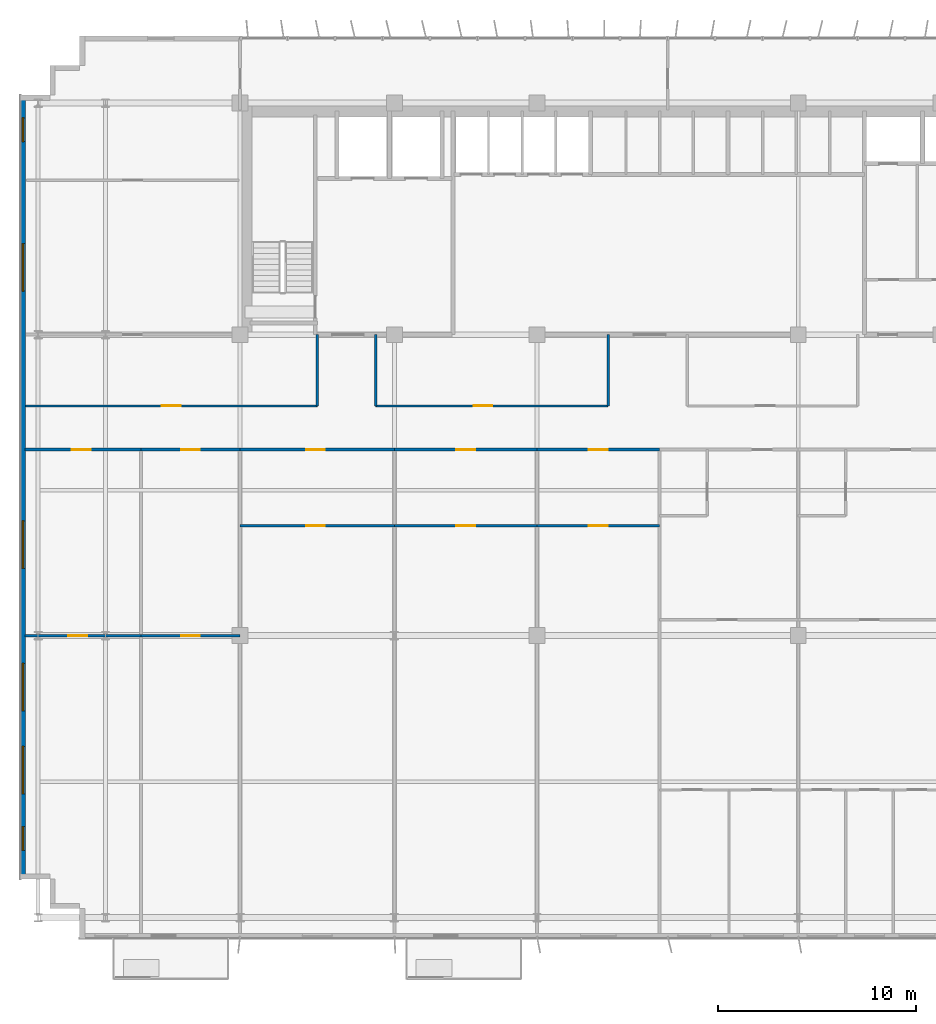
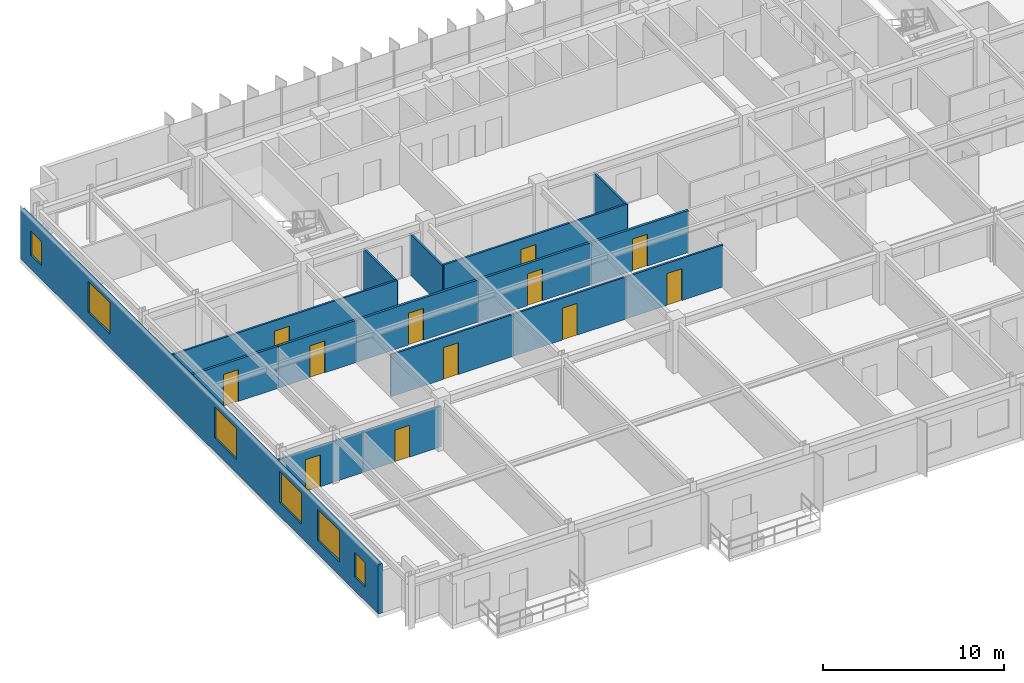
# One storey, part 14 of 22: 16 walls, 12 doors, 6 windows, 18 openings.
"""IFC4 building model written with IfcOpenShell, lengths in metres."""

from ifc_helpers import new_model, si_unit, direction, frame, frame_2d, origin, place, context, subcontext, project, spatial, rectangle, extrude, source, transform, mapped, material, layer, layer_set, type_object, element, fill, save


model = new_model("IFC4")

# Units and contexts
model_context = context("Model", 3, precision=1e-05, world=origin(), true_north=direction((0.0, 1.0)))
body_context = subcontext(model_context, "Body", "Model", "MODEL_VIEW")
ifc_project = project(units=[si_unit("LENGTHUNIT", "METRE"), si_unit("AREAUNIT", "SQUARE_METRE"), si_unit("VOLUMEUNIT", "CUBIC_METRE"), si_unit("PLANEANGLEUNIT", "RADIAN"), si_unit("MASSUNIT", "GRAM", prefix="KILO")], contexts=[model_context])

# Site, building, storey
site_placement = place(None, origin())
site = spatial("IfcSite", under=ifc_project, at=site_placement, CompositionType="ELEMENT")
building_placement = place(site_placement, origin())
building = spatial("IfcBuilding", under=site, at=building_placement, Name="Trelvane Seafront Commons", CompositionType="ELEMENT")
storey_placement = place(building_placement, frame((0.0, 0.0, 85.300048828125)))
storey = spatial("IfcBuildingStorey", under=building, at=storey_placement, Name="L21", CompositionType="ELEMENT", Elevation=85.300048828125)

# Wall, openings, windows
ifc_material_1 = material(Name="Precast concrete C40/50", Category="concrete")
ifc_layer_1 = layer(ifc_material_1, 0.260009765625, Name="ARCH-WALL-EXT260")
ifc_layer_set_1 = layer_set([ifc_layer_1], Name="Precast concrete C40/50")
wall_type_1 = type_object("IfcWallType", Name="ARCH-WALL-EXT260", PredefinedType="SOLIDWALL", material=ifc_layer_set_1)
wall_1_placement = place(storey_placement, frame((4.6298828125, 5.89990234375, 0.0), z_axis=(0.0, 0.0, 1.0), x_axis=(0.0, 1.0, 0.0)))
wall_1 = element("IfcWall", 1, at=wall_1_placement, inside=storey, type_object=wall_type_1, Name="EW-L21-00375", PredefinedType="SOLIDWALL", context=body_context, shape_type="SweptSolid", body=[
    extrude(rectangle(XDim=39.60009765625, YDim=0.260009765625, at=frame_2d((19.800048828125, 0.0))), origin(), (0.0, 0.0, 1.0), 3.33984375),
])
opening_1_placement = place(wall_1_placement, frame((1.449951171875, 0.0, 0.919921875)))
opening_1 = element("IfcOpeningElement", 2, at=opening_1_placement, cuts=wall_1, Name="Opening W05", PredefinedType="OPENING", context=body_context, shape_type="SweptSolid", body=[
    extrude(rectangle(XDim=1.199951171875, YDim=1.64990234375, at=frame_2d((0.60009765625, 0.824951171875))), frame((0.0, 0.139892578125, 0.0), z_axis=(0.0, -1.0, 0.0), x_axis=(1.0, 0.0, 0.0)), (0.0, 0.0, 1.0), 0.280029296875),
])
opening_2_placement = place(wall_1_placement, frame((4.300048828125, 0.0, 0.919921875)))
opening_2 = element("IfcOpeningElement", 3, at=opening_2_placement, cuts=wall_1, Name="Opening W08", PredefinedType="OPENING", context=body_context, shape_type="SweptSolid", body=[
    extrude(rectangle(XDim=2.39990234375, YDim=2.10009765625, at=frame_2d((1.199951171875, 1.050048828125))), frame((0.0, 0.139892578125, 0.0), z_axis=(0.0, -1.0, 0.0), x_axis=(1.0, 0.0, 0.0)), (0.0, 0.0, 1.0), 0.280029296875),
])
opening_3_placement = place(wall_1_placement, frame((8.5, 0.0, 0.919921875)))
opening_3 = element("IfcOpeningElement", 4, at=opening_3_placement, cuts=wall_1, Name="Opening W08", PredefinedType="OPENING", context=body_context, shape_type="SweptSolid", body=[
    extrude(rectangle(XDim=2.39990234375, YDim=2.10009765625, at=frame_2d((1.199951171875, 1.050048828125))), frame((0.0, 0.139892578125, 0.0), z_axis=(0.0, -1.0, 0.0), x_axis=(1.0, 0.0, 0.0)), (0.0, 0.0, 1.0), 0.280029296875),
])
opening_4_placement = place(wall_1_placement, frame((15.699951171875, 0.0, 0.919921875)))
opening_4 = element("IfcOpeningElement", 5, at=opening_4_placement, cuts=wall_1, Name="Opening W08", PredefinedType="OPENING", context=body_context, shape_type="SweptSolid", body=[
    extrude(rectangle(XDim=2.39990234375, YDim=2.10009765625, at=frame_2d((1.199951171875, 1.050048828125))), frame((0.0, 0.139892578125, 0.0), z_axis=(0.0, -1.0, 0.0), x_axis=(1.0, 0.0, 0.0)), (0.0, 0.0, 1.0), 0.280029296875),
])
opening_5_placement = place(wall_1_placement, frame((29.699951171875, 0.0, 0.919921875)))
opening_5 = element("IfcOpeningElement", 6, at=opening_5_placement, cuts=wall_1, Name="Opening W08", PredefinedType="OPENING", context=body_context, shape_type="SweptSolid", body=[
    extrude(rectangle(XDim=2.39990234375, YDim=2.10009765625, at=frame_2d((1.199951171875, 1.050048828125))), frame((0.0, 0.139892578125, 0.0), z_axis=(0.0, -1.0, 0.0), x_axis=(1.0, 0.0, 0.0)), (0.0, 0.0, 1.0), 0.280029296875),
])
opening_6_placement = place(wall_1_placement, frame((37.25, 0.0, 0.919921875)))
opening_6 = element("IfcOpeningElement", 7, at=opening_6_placement, cuts=wall_1, Name="Opening W05", PredefinedType="OPENING", context=body_context, shape_type="SweptSolid", body=[
    extrude(rectangle(XDim=1.199951171875, YDim=1.64990234375, at=frame_2d((0.60009765625, 0.824951171875))), frame((0.0, 0.139892578125, 0.0), z_axis=(0.0, -1.0, 0.0), x_axis=(1.0, 0.0, 0.0)), (0.0, 0.0, 1.0), 0.280029296875),
])
ifc_material_2 = material(Name="Low-E coastal double glazing", Category="glass")
window_type_1 = type_object("IfcWindowType", Name="ARCH-WIN-W08", PartitioningType="SINGLE_PANEL", PredefinedType="WINDOW", material=ifc_material_2)
shared_shape_1 = source(origin(), body_context, "Body", "SweptSolid", [
    extrude(rectangle(XDim=2.39990234375, YDim=2.10009765625, at=frame_2d((1.199951171875, 1.050048828125))), frame((0.0, 0.030029296875, 0.0), z_axis=(0.0, -1.0, 0.0), x_axis=(1.0, 0.0, 0.0)), (0.0, 0.0, 1.0), 0.06005859375),
])
window_1_placement = place(opening_2_placement, origin())
window_1 = element("IfcWindow", 8, at=window_1_placement, inside=storey, type_object=window_type_1, Name="WIN-L21-EW-00426", OverallHeight=2.10009765625, OverallWidth=2.39990234375, PartitioningType="SINGLE_PANEL", PredefinedType="WINDOW", context=body_context, shape_type="MappedRepresentation", body=[
    mapped(shared_shape_1, transform((0.0, 0.0, 0.0), x_axis=(1.0, 0.0, 0.0), y_axis=(0.0, 1.0, 0.0), z_axis=(0.0, 0.0, 1.0), scale=1.0)),
])
fill(opening_2, window_1)
window_2_placement = place(opening_3_placement, origin())
window_2 = element("IfcWindow", 9, at=window_2_placement, inside=storey, type_object=window_type_1, Name="WIN-L21-EW-00427", OverallHeight=2.10009765625, OverallWidth=2.39990234375, PartitioningType="SINGLE_PANEL", PredefinedType="WINDOW", context=body_context, shape_type="MappedRepresentation", body=[
    mapped(shared_shape_1, transform((0.0, 0.0, 0.0), x_axis=(1.0, 0.0, 0.0), y_axis=(0.0, 1.0, 0.0), z_axis=(0.0, 0.0, 1.0), scale=1.0)),
])
fill(opening_3, window_2)
window_3_placement = place(opening_4_placement, origin())
window_3 = element("IfcWindow", 10, at=window_3_placement, inside=storey, type_object=window_type_1, Name="WIN-L21-EW-00428", OverallHeight=2.10009765625, OverallWidth=2.39990234375, PartitioningType="SINGLE_PANEL", PredefinedType="WINDOW", context=body_context, shape_type="MappedRepresentation", body=[
    mapped(shared_shape_1, transform((0.0, 0.0, 0.0), x_axis=(1.0, 0.0, 0.0), y_axis=(0.0, 1.0, 0.0), z_axis=(0.0, 0.0, 1.0), scale=1.0)),
])
fill(opening_4, window_3)
window_4_placement = place(opening_5_placement, origin())
window_4 = element("IfcWindow", 11, at=window_4_placement, inside=storey, type_object=window_type_1, Name="WIN-L21-EW-00429", OverallHeight=2.10009765625, OverallWidth=2.39990234375, PartitioningType="SINGLE_PANEL", PredefinedType="WINDOW", context=body_context, shape_type="MappedRepresentation", body=[
    mapped(shared_shape_1, transform((0.0, 0.0, 0.0), x_axis=(1.0, 0.0, 0.0), y_axis=(0.0, 1.0, 0.0), z_axis=(0.0, 0.0, 1.0), scale=1.0)),
])
fill(opening_5, window_4)
window_type_2 = type_object("IfcWindowType", Name="ARCH-WIN-W05", PartitioningType="SINGLE_PANEL", PredefinedType="WINDOW", material=ifc_material_2)
shared_shape_2 = source(origin(), body_context, "Body", "SweptSolid", [
    extrude(rectangle(XDim=1.199951171875, YDim=1.64990234375, at=frame_2d((0.60009765625, 0.824951171875))), frame((0.0, 0.030029296875, 0.0), z_axis=(0.0, -1.0, 0.0), x_axis=(1.0, 0.0, 0.0)), (0.0, 0.0, 1.0), 0.06005859375),
])
window_5_placement = place(opening_1_placement, origin())
window_5 = element("IfcWindow", 12, at=window_5_placement, inside=storey, type_object=window_type_2, Name="WIN-L21-EW-00425", OverallHeight=1.64990234375, OverallWidth=1.199951171875, PartitioningType="SINGLE_PANEL", PredefinedType="WINDOW", context=body_context, shape_type="MappedRepresentation", body=[
    mapped(shared_shape_2, transform((0.0, 0.0, 0.0), x_axis=(1.0, 0.0, 0.0), y_axis=(0.0, 1.0, 0.0), z_axis=(0.0, 0.0, 1.0), scale=1.0)),
])
fill(opening_1, window_5)
window_6_placement = place(opening_6_placement, origin())
window_6 = element("IfcWindow", 13, at=window_6_placement, inside=storey, type_object=window_type_2, Name="WIN-L21-EW-00430", OverallHeight=1.64990234375, OverallWidth=1.199951171875, PartitioningType="SINGLE_PANEL", PredefinedType="WINDOW", context=body_context, shape_type="MappedRepresentation", body=[
    mapped(shared_shape_2, transform((0.0, 0.0, 0.0), x_axis=(1.0, 0.0, 0.0), y_axis=(0.0, 1.0, 0.0), z_axis=(0.0, 0.0, 1.0), scale=1.0)),
])
fill(opening_6, window_6)

# Wall, opening, door
ifc_material_3 = material(Name="Gypsum Drywall Acoustic Partition")
ifc_layer_2 = layer(ifc_material_3, 0.1201171875, Name="ARCH-WALL-PART120")
ifc_layer_set_2 = layer_set([ifc_layer_2], Name="Gypsum Drywall Acoustic Partition")
wall_type_2 = type_object("IfcWallType", Name="ARCH-WALL-PART120", PredefinedType="PARTITIONING", material=ifc_layer_set_2)
wall_2_placement = place(storey_placement, frame((4.75, 29.800048828125, 0.0), z_axis=(0.0, 0.0, 1.0), x_axis=(1.0, 0.0, 0.0)))
wall_2 = element("IfcWall", 14, at=wall_2_placement, inside=storey, type_object=wall_type_2, Name="W-L21-CORR-N-W-038", PredefinedType="PARTITIONING", context=body_context, shape_type="SweptSolid", body=[
    extrude(rectangle(XDim=14.75, YDim=0.1201171875, at=frame_2d((7.375, 0.0))), origin(), (0.0, 0.0, 1.0), 2.83984375),
])
opening_7_placement = place(wall_2_placement, frame((6.89990234375, 0.0, 0.0)))
opening_7 = element("IfcOpeningElement", 15, at=opening_7_placement, cuts=wall_2, Name="Opening D-L21-18", PredefinedType="OPENING", context=body_context, shape_type="SweptSolid", body=[
    extrude(rectangle(XDim=0.949951171875, YDim=2.14990234375, at=frame_2d((0.47509765625, 1.074951171875))), frame((0.0, 0.070068359375, 0.0), z_axis=(0.0, -1.0, 0.0), x_axis=(1.0, 0.0, 0.0)), (0.0, 0.0, 1.0), 0.14013671875),
])
ifc_material_4 = material(Name="Acoustic timber door leaf", Category="wood")
door_type_1 = type_object("IfcDoorType", Name="ARCH-DR-INT950", OperationType="NOTDEFINED", PredefinedType="DOOR", material=ifc_material_4)
shared_shape_3 = source(origin(), body_context, "Body", "SweptSolid", [
    extrude(rectangle(XDim=0.949951171875, YDim=2.14990234375, at=frame_2d((0.47509765625, 1.074951171875))), frame((0.0, 0.02490234375, 0.0), z_axis=(0.0, -1.0, 0.0), x_axis=(1.0, 0.0, 0.0)), (0.0, 0.0, 1.0), 0.050048828125),
])
door_1_placement = place(opening_7_placement, origin())
door_1 = element("IfcDoor", 16, at=door_1_placement, inside=storey, type_object=door_type_1, Name="L21 Door 18", OperationType="SINGLE_SWING_RIGHT", OverallHeight=2.14990234375, OverallWidth=0.949951171875, PredefinedType="DOOR", context=body_context, shape_type="MappedRepresentation", body=[
    mapped(shared_shape_3, transform((0.0, 0.0, 0.0), x_axis=(1.0, 0.0, 0.0), y_axis=(0.0, 1.0, 0.0), z_axis=(0.0, 0.0, 1.0), scale=1.0)),
])
fill(opening_7, door_1)

wall_3_placement = place(storey_placement, frame((22.449951171875, 29.800048828125, 0.0), z_axis=(0.0, 0.0, 1.0), x_axis=(1.0, 0.0, 0.0)))
wall_3 = element("IfcWall", 17, at=wall_3_placement, inside=storey, type_object=wall_type_2, Name="W-L21-CORR-N-M1-039", PredefinedType="PARTITIONING", context=body_context, shape_type="SweptSolid", body=[
    extrude(rectangle(XDim=11.75, YDim=0.1201171875, at=frame_2d((5.875, 0.0))), origin(), (0.0, 0.0, 1.0), 2.83984375),
])
opening_8_placement = place(wall_3_placement, frame((4.944091796875, 0.0, 0.0)))
opening_8 = element("IfcOpeningElement", 18, at=opening_8_placement, cuts=wall_3, Name="Opening D-L21-19", PredefinedType="OPENING", context=body_context, shape_type="SweptSolid", body=[
    extrude(rectangle(XDim=0.949951171875, YDim=2.14990234375, at=frame_2d((0.47509765625, 1.074951171875))), frame((0.0, 0.070068359375, 0.0), z_axis=(0.0, -1.0, 0.0), x_axis=(1.0, 0.0, 0.0)), (0.0, 0.0, 1.0), 0.14013671875),
])
door_2_placement = place(opening_8_placement, origin())
door_2 = element("IfcDoor", 19, at=door_2_placement, inside=storey, type_object=door_type_1, Name="L21 Door 19", OperationType="SINGLE_SWING_LEFT", OverallHeight=2.14990234375, OverallWidth=0.949951171875, PredefinedType="DOOR", context=body_context, shape_type="MappedRepresentation", body=[
    mapped(shared_shape_3, transform((0.0, 0.0, 0.0), x_axis=(1.0, 0.0, 0.0), y_axis=(0.0, 1.0, 0.0), z_axis=(0.0, 0.0, 1.0), scale=1.0)),
])
fill(opening_8, door_2)

# Walls
for number, where, z_axis, x_axis, name in (
    (20, (19.5, 29.800048828125, 0.0), (0.0, 0.0, 1.0), (0.0, 1.0, 0.0), "W-L21-N-SPUR-W1-043"),
    (21, (22.449951171875, 29.800048828125, 0.0), (0.0, 0.0, 1.0), (0.0, 1.0, 0.0), "W-L21-N-SPUR-W2-044"),
    (22, (34.199951171875, 29.800048828125, 0.0), (0.0, 0.0, 1.0), (0.0, 1.0, 0.0), "W-L21-N-SPUR-M1-045"),
):
    element("IfcWall", number, at=place(storey_placement, frame(where, z_axis=z_axis, x_axis=x_axis)), inside=storey, type_object=wall_type_2, Name=name, PredefinedType="PARTITIONING", context=body_context, shape_type="SweptSolid", body=[
        extrude(rectangle(XDim=3.599853515625, YDim=0.1201171875, at=frame_2d((1.7998046875, 0.0))), origin(), (0.0, 0.0, 1.0), 2.751953125),
    ])

# Wall, opening, door
wall_4_placement = place(storey_placement, frame((4.7451171875, 18.199951171875, 0.0), z_axis=(0.0, 0.0, 1.0), x_axis=(1.0, 0.0, 0.0)))
wall_4 = element("IfcWall", 23, at=wall_4_placement, inside=storey, type_object=wall_type_2, Name="W-L21-U1-DIV-070", PredefinedType="PARTITIONING", context=body_context, shape_type="SweptSolid", body=[
    extrude(rectangle(XDim=5.85498046875, YDim=0.1201171875, at=frame_2d((2.927490234375, 0.0))), origin(), (0.0, 0.0, 1.0), 2.751953125),
])
opening_9_placement = place(wall_4_placement, frame((2.181884765625, 0.0, 0.0)))
opening_9 = element("IfcOpeningElement", 24, at=opening_9_placement, cuts=wall_4, Name="Opening D-L21-33", PredefinedType="OPENING", context=body_context, shape_type="SweptSolid", body=[
    extrude(rectangle(XDim=0.949951171875, YDim=2.14990234375, at=frame_2d((0.47509765625, 1.074951171875))), frame((0.0, 0.070068359375, 0.0), z_axis=(0.0, -1.0, 0.0), x_axis=(1.0, 0.0, 0.0)), (0.0, 0.0, 1.0), 0.14013671875),
])
door_3_placement = place(opening_9_placement, origin())
door_3 = element("IfcDoor", 25, at=door_3_placement, inside=storey, type_object=door_type_1, Name="L21 Door 33", OperationType="SINGLE_SWING_LEFT", OverallHeight=2.14990234375, OverallWidth=0.949951171875, PredefinedType="DOOR", context=body_context, shape_type="MappedRepresentation", body=[
    mapped(shared_shape_3, transform((0.0, 0.0, 0.0), x_axis=(1.0, 0.0, 0.0), y_axis=(0.0, 1.0, 0.0), z_axis=(0.0, 0.0, 1.0), scale=1.0)),
])
fill(opening_9, door_3)

wall_5_placement = place(storey_placement, frame((10.60009765625, 18.199951171875, 0.0), z_axis=(0.0, 0.0, 1.0), x_axis=(1.0, 0.0, 0.0)))
wall_5 = element("IfcWall", 26, at=wall_5_placement, inside=storey, type_object=wall_type_2, Name="W-L21-U2-DIV-072", PredefinedType="PARTITIONING", context=body_context, shape_type="SweptSolid", body=[
    extrude(rectangle(XDim=5.0, YDim=0.1201171875, at=frame_2d((2.5, 0.0))), origin(), (0.0, 0.0, 1.0), 2.751953125),
])
opening_10_placement = place(wall_5_placement, frame((2.02490234375, 0.0, 0.0)))
opening_10 = element("IfcOpeningElement", 27, at=opening_10_placement, cuts=wall_5, Name="Opening D-L21-35", PredefinedType="OPENING", context=body_context, shape_type="SweptSolid", body=[
    extrude(rectangle(XDim=0.949951171875, YDim=2.14990234375, at=frame_2d((0.47509765625, 1.074951171875))), frame((0.0, 0.070068359375, 0.0), z_axis=(0.0, -1.0, 0.0), x_axis=(1.0, 0.0, 0.0)), (0.0, 0.0, 1.0), 0.14013671875),
])
door_4_placement = place(opening_10_placement, origin())
door_4 = element("IfcDoor", 28, at=door_4_placement, inside=storey, type_object=door_type_1, Name="L21 Door 35", OperationType="SINGLE_SWING_LEFT", OverallHeight=2.14990234375, OverallWidth=0.949951171875, PredefinedType="DOOR", context=body_context, shape_type="MappedRepresentation", body=[
    mapped(shared_shape_3, transform((0.0, 0.0, 0.0), x_axis=(1.0, 0.0, 0.0), y_axis=(0.0, 1.0, 0.0), z_axis=(0.0, 0.0, 1.0), scale=1.0)),
])
fill(opening_10, door_4)

wall_6_placement = place(storey_placement, frame((15.60009765625, 23.75, 0.0), z_axis=(0.0, 0.0, 1.0), x_axis=(1.0, 0.0, 0.0)))
wall_6 = element("IfcWall", 29, at=wall_6_placement, inside=storey, type_object=wall_type_2, Name="W-L21-U3-DIV-074", PredefinedType="PARTITIONING", context=body_context, shape_type="SweptSolid", body=[
    extrude(rectangle(XDim=7.7998046875, YDim=0.1201171875, at=frame_2d((3.89990234375, 0.0))), origin(), (0.0, 0.0, 1.0), 2.83984375),
])
opening_11_placement = place(wall_6_placement, frame((3.3330078125, 0.0, 0.0)))
opening_11 = element("IfcOpeningElement", 30, at=opening_11_placement, cuts=wall_6, Name="Opening D-L21-37", PredefinedType="OPENING", context=body_context, shape_type="SweptSolid", body=[
    extrude(rectangle(XDim=0.949951171875, YDim=2.14990234375, at=frame_2d((0.47509765625, 1.074951171875))), frame((0.0, 0.070068359375, 0.0), z_axis=(0.0, -1.0, 0.0), x_axis=(1.0, 0.0, 0.0)), (0.0, 0.0, 1.0), 0.14013671875),
])
door_5_placement = place(opening_11_placement, origin())
door_5 = element("IfcDoor", 31, at=door_5_placement, inside=storey, type_object=door_type_1, Name="L21 Door 37", OperationType="SINGLE_SWING_LEFT", OverallHeight=2.14990234375, OverallWidth=0.949951171875, PredefinedType="DOOR", context=body_context, shape_type="MappedRepresentation", body=[
    mapped(shared_shape_3, transform((0.0, 0.0, 0.0), x_axis=(1.0, 0.0, 0.0), y_axis=(0.0, 1.0, 0.0), z_axis=(0.0, 0.0, 1.0), scale=1.0)),
])
fill(opening_11, door_5)

wall_7_placement = place(storey_placement, frame((23.39990234375, 23.75, 0.0), z_axis=(0.0, 0.0, 1.0), x_axis=(1.0, 0.0, 0.0)))
wall_7 = element("IfcWall", 32, at=wall_7_placement, inside=storey, type_object=wall_type_2, Name="W-L21-U4-DIV-076", PredefinedType="PARTITIONING", context=body_context, shape_type="SweptSolid", body=[
    extrude(rectangle(XDim=7.2001953125, YDim=0.1201171875, at=frame_2d((3.60009765625, 0.0))), origin(), (0.0, 0.0, 1.0), 2.83984375),
])
opening_12_placement = place(wall_7_placement, frame((3.125, 0.0, 0.0)))
opening_12 = element("IfcOpeningElement", 33, at=opening_12_placement, cuts=wall_7, Name="Opening D-L21-39", PredefinedType="OPENING", context=body_context, shape_type="SweptSolid", body=[
    extrude(rectangle(XDim=0.949951171875, YDim=2.14990234375, at=frame_2d((0.47509765625, 1.074951171875))), frame((0.0, 0.070068359375, 0.0), z_axis=(0.0, -1.0, 0.0), x_axis=(1.0, 0.0, 0.0)), (0.0, 0.0, 1.0), 0.14013671875),
])
door_6_placement = place(opening_12_placement, origin())
door_6 = element("IfcDoor", 34, at=door_6_placement, inside=storey, type_object=door_type_1, Name="L21 Door 39", OperationType="SINGLE_SWING_LEFT", OverallHeight=2.14990234375, OverallWidth=0.949951171875, PredefinedType="DOOR", context=body_context, shape_type="MappedRepresentation", body=[
    mapped(shared_shape_3, transform((0.0, 0.0, 0.0), x_axis=(1.0, 0.0, 0.0), y_axis=(0.0, 1.0, 0.0), z_axis=(0.0, 0.0, 1.0), scale=1.0)),
])
fill(opening_12, door_6)

wall_8_placement = place(storey_placement, frame((30.60009765625, 23.75, 0.0), z_axis=(0.0, 0.0, 1.0), x_axis=(1.0, 0.0, 0.0)))
wall_8 = element("IfcWall", 35, at=wall_8_placement, inside=storey, type_object=wall_type_2, Name="W-L21-U5-DIV-078", PredefinedType="PARTITIONING", context=body_context, shape_type="SweptSolid", body=[
    extrude(rectangle(XDim=6.199951171875, YDim=0.1201171875, at=frame_2d((3.10009765625, 0.0))), origin(), (0.0, 0.0, 1.0), 2.83984375),
])
opening_13_placement = place(wall_8_placement, frame((2.625, 0.0, 0.0)))
opening_13 = element("IfcOpeningElement", 36, at=opening_13_placement, cuts=wall_8, Name="Opening D-L21-41", PredefinedType="OPENING", context=body_context, shape_type="SweptSolid", body=[
    extrude(rectangle(XDim=0.949951171875, YDim=2.14990234375, at=frame_2d((0.47509765625, 1.074951171875))), frame((0.0, 0.070068359375, 0.0), z_axis=(0.0, -1.0, 0.0), x_axis=(1.0, 0.0, 0.0)), (0.0, 0.0, 1.0), 0.14013671875),
])
door_7_placement = place(opening_13_placement, origin())
door_7 = element("IfcDoor", 37, at=door_7_placement, inside=storey, type_object=door_type_1, Name="L21 Door 41", OperationType="SINGLE_SWING_LEFT", OverallHeight=2.14990234375, OverallWidth=0.949951171875, PredefinedType="DOOR", context=body_context, shape_type="MappedRepresentation", body=[
    mapped(shared_shape_3, transform((0.0, 0.0, 0.0), x_axis=(1.0, 0.0, 0.0), y_axis=(0.0, 1.0, 0.0), z_axis=(0.0, 0.0, 1.0), scale=1.0)),
])
fill(opening_13, door_7)

ifc_layer_3 = layer(ifc_material_3, 0.14990234375, Name="ARCH-WALL-PART150")
ifc_layer_set_3 = layer_set([ifc_layer_3], Name="Gypsum Drywall Acoustic Partition")
wall_type_3 = type_object("IfcWallType", Name="ARCH-WALL-PART150", PredefinedType="PARTITIONING", material=ifc_layer_set_3)
wall_9_placement = place(storey_placement, frame((4.7451171875, 27.60009765625, 0.0), z_axis=(0.0, 0.0, 1.0), x_axis=(1.0, 0.0, 0.0)))
wall_9 = element("IfcWall", 38, at=wall_9_placement, inside=storey, type_object=wall_type_3, Name="W-L21-CS-BAY-1-069", PredefinedType="PARTITIONING", context=body_context, shape_type="SweptSolid", body=[
    extrude(rectangle(XDim=5.85498046875, YDim=0.14990234375, at=frame_2d((2.927490234375, 0.0))), origin(), (0.0, 0.0, 1.0), 2.83984375),
])
opening_14_placement = place(wall_9_placement, frame((2.362060546875, 0.0, 0.0)))
opening_14 = element("IfcOpeningElement", 39, at=opening_14_placement, cuts=wall_9, Name="Opening FD-L21-32", PredefinedType="OPENING", context=body_context, shape_type="SweptSolid", body=[
    extrude(rectangle(XDim=0.949951171875, YDim=2.14990234375, at=frame_2d((0.47509765625, 1.074951171875))), frame((0.0, 0.0849609375, 0.0), z_axis=(0.0, -1.0, 0.0), x_axis=(1.0, 0.0, 0.0)), (0.0, 0.0, 1.0), 0.169921875),
])
ifc_material_5 = material(Name="Powder-coated aluminium frame", Category="aluminium")
door_type_2 = type_object("IfcDoorType", Name="ARCH-DR-FD60-950", OperationType="NOTDEFINED", PredefinedType="DOOR", material=ifc_material_5)
door_8_placement = place(opening_14_placement, origin())
door_8 = element("IfcDoor", 40, at=door_8_placement, inside=storey, type_object=door_type_2, Name="L21 Bay 01 Entrance Door", OperationType="SINGLE_SWING_RIGHT", OverallHeight=2.14990234375, OverallWidth=0.949951171875, PredefinedType="DOOR", context=body_context, shape_type="MappedRepresentation", body=[
    mapped(shared_shape_3, transform((0.0, 0.0, 0.0), x_axis=(1.0, 0.0, 0.0), y_axis=(0.0, 1.0, 0.0), z_axis=(0.0, 0.0, 1.0), scale=1.0)),
])
fill(opening_14, door_8)

wall_10_placement = place(storey_placement, frame((10.60009765625, 27.60009765625, 0.0), z_axis=(0.0, 0.0, 1.0), x_axis=(1.0, 0.0, 0.0)))
wall_10 = element("IfcWall", 41, at=wall_10_placement, inside=storey, type_object=wall_type_3, Name="W-L21-CS-BAY-2-071", PredefinedType="PARTITIONING", context=body_context, shape_type="SweptSolid", body=[
    extrude(rectangle(XDim=5.0, YDim=0.14990234375, at=frame_2d((2.5, 0.0))), origin(), (0.0, 0.0, 1.0), 2.83984375),
])
opening_15_placement = place(wall_10_placement, frame((2.02490234375, 0.0, 0.0)))
opening_15 = element("IfcOpeningElement", 42, at=opening_15_placement, cuts=wall_10, Name="Opening FD-L21-34", PredefinedType="OPENING", context=body_context, shape_type="SweptSolid", body=[
    extrude(rectangle(XDim=0.949951171875, YDim=2.14990234375, at=frame_2d((0.47509765625, 1.074951171875))), frame((0.0, 0.0849609375, 0.0), z_axis=(0.0, -1.0, 0.0), x_axis=(1.0, 0.0, 0.0)), (0.0, 0.0, 1.0), 0.169921875),
])
door_9_placement = place(opening_15_placement, origin())
door_9 = element("IfcDoor", 43, at=door_9_placement, inside=storey, type_object=door_type_2, Name="L21 Bay 02 Entrance Door", OperationType="SINGLE_SWING_RIGHT", OverallHeight=2.14990234375, OverallWidth=0.949951171875, PredefinedType="DOOR", context=body_context, shape_type="MappedRepresentation", body=[
    mapped(shared_shape_3, transform((0.0, 0.0, 0.0), x_axis=(1.0, 0.0, 0.0), y_axis=(0.0, 1.0, 0.0), z_axis=(0.0, 0.0, 1.0), scale=1.0)),
])
fill(opening_15, door_9)

wall_11_placement = place(storey_placement, frame((15.60009765625, 27.60009765625, 0.0), z_axis=(0.0, 0.0, 1.0), x_axis=(1.0, 0.0, 0.0)))
wall_11 = element("IfcWall", 44, at=wall_11_placement, inside=storey, type_object=wall_type_3, Name="W-L21-CS-BAY-3-073", PredefinedType="PARTITIONING", context=body_context, shape_type="SweptSolid", body=[
    extrude(rectangle(XDim=7.7998046875, YDim=0.14990234375, at=frame_2d((3.89990234375, 0.0))), origin(), (0.0, 0.0, 1.0), 2.83984375),
])
opening_16_placement = place(wall_11_placement, frame((3.3330078125, 0.0, 0.0)))
opening_16 = element("IfcOpeningElement", 45, at=opening_16_placement, cuts=wall_11, Name="Opening FD-L21-36", PredefinedType="OPENING", context=body_context, shape_type="SweptSolid", body=[
    extrude(rectangle(XDim=0.949951171875, YDim=2.14990234375, at=frame_2d((0.47509765625, 1.074951171875))), frame((0.0, 0.0849609375, 0.0), z_axis=(0.0, -1.0, 0.0), x_axis=(1.0, 0.0, 0.0)), (0.0, 0.0, 1.0), 0.169921875),
])
door_10_placement = place(opening_16_placement, origin())
door_10 = element("IfcDoor", 46, at=door_10_placement, inside=storey, type_object=door_type_2, Name="L21 Bay 03 Entrance Door", OperationType="SINGLE_SWING_RIGHT", OverallHeight=2.14990234375, OverallWidth=0.949951171875, PredefinedType="DOOR", context=body_context, shape_type="MappedRepresentation", body=[
    mapped(shared_shape_3, transform((0.0, 0.0, 0.0), x_axis=(1.0, 0.0, 0.0), y_axis=(0.0, 1.0, 0.0), z_axis=(0.0, 0.0, 1.0), scale=1.0)),
])
fill(opening_16, door_10)

wall_12_placement = place(storey_placement, frame((23.39990234375, 27.60009765625, 0.0), z_axis=(0.0, 0.0, 1.0), x_axis=(1.0, 0.0, 0.0)))
wall_12 = element("IfcWall", 47, at=wall_12_placement, inside=storey, type_object=wall_type_3, Name="W-L21-CS-BAY-4-075", PredefinedType="PARTITIONING", context=body_context, shape_type="SweptSolid", body=[
    extrude(rectangle(XDim=7.2001953125, YDim=0.14990234375, at=frame_2d((3.60009765625, 0.0))), origin(), (0.0, 0.0, 1.0), 2.83984375),
])
opening_17_placement = place(wall_12_placement, frame((3.125, 0.0, 0.0)))
opening_17 = element("IfcOpeningElement", 48, at=opening_17_placement, cuts=wall_12, Name="Opening FD-L21-38", PredefinedType="OPENING", context=body_context, shape_type="SweptSolid", body=[
    extrude(rectangle(XDim=0.949951171875, YDim=2.14990234375, at=frame_2d((0.47509765625, 1.074951171875))), frame((0.0, 0.0849609375, 0.0), z_axis=(0.0, -1.0, 0.0), x_axis=(1.0, 0.0, 0.0)), (0.0, 0.0, 1.0), 0.169921875),
])
door_11_placement = place(opening_17_placement, origin())
door_11 = element("IfcDoor", 49, at=door_11_placement, inside=storey, type_object=door_type_2, Name="L21 Bay 04 Entrance Door", OperationType="SINGLE_SWING_RIGHT", OverallHeight=2.14990234375, OverallWidth=0.949951171875, PredefinedType="DOOR", context=body_context, shape_type="MappedRepresentation", body=[
    mapped(shared_shape_3, transform((0.0, 0.0, 0.0), x_axis=(1.0, 0.0, 0.0), y_axis=(0.0, 1.0, 0.0), z_axis=(0.0, 0.0, 1.0), scale=1.0)),
])
fill(opening_17, door_11)

wall_13_placement = place(storey_placement, frame((30.60009765625, 27.60009765625, 0.0), z_axis=(0.0, 0.0, 1.0), x_axis=(1.0, 0.0, 0.0)))
wall_13 = element("IfcWall", 50, at=wall_13_placement, inside=storey, type_object=wall_type_3, Name="W-L21-CS-BAY-5-077", PredefinedType="PARTITIONING", context=body_context, shape_type="SweptSolid", body=[
    extrude(rectangle(XDim=6.199951171875, YDim=0.14990234375, at=frame_2d((3.10009765625, 0.0))), origin(), (0.0, 0.0, 1.0), 2.83984375),
])
opening_18_placement = place(wall_13_placement, frame((2.625, 0.0, 0.0)))
opening_18 = element("IfcOpeningElement", 51, at=opening_18_placement, cuts=wall_13, Name="Opening FD-L21-40", PredefinedType="OPENING", context=body_context, shape_type="SweptSolid", body=[
    extrude(rectangle(XDim=0.949951171875, YDim=2.14990234375, at=frame_2d((0.47509765625, 1.074951171875))), frame((0.0, 0.0849609375, 0.0), z_axis=(0.0, -1.0, 0.0), x_axis=(1.0, 0.0, 0.0)), (0.0, 0.0, 1.0), 0.169921875),
])
door_12_placement = place(opening_18_placement, origin())
door_12 = element("IfcDoor", 52, at=door_12_placement, inside=storey, type_object=door_type_2, Name="L21 Bay 05 Entrance Door", OperationType="SINGLE_SWING_RIGHT", OverallHeight=2.14990234375, OverallWidth=0.949951171875, PredefinedType="DOOR", context=body_context, shape_type="MappedRepresentation", body=[
    mapped(shared_shape_3, transform((0.0, 0.0, 0.0), x_axis=(1.0, 0.0, 0.0), y_axis=(0.0, 1.0, 0.0), z_axis=(0.0, 0.0, 1.0), scale=1.0)),
])
fill(opening_18, door_12)

save(model, "model.ifc")
